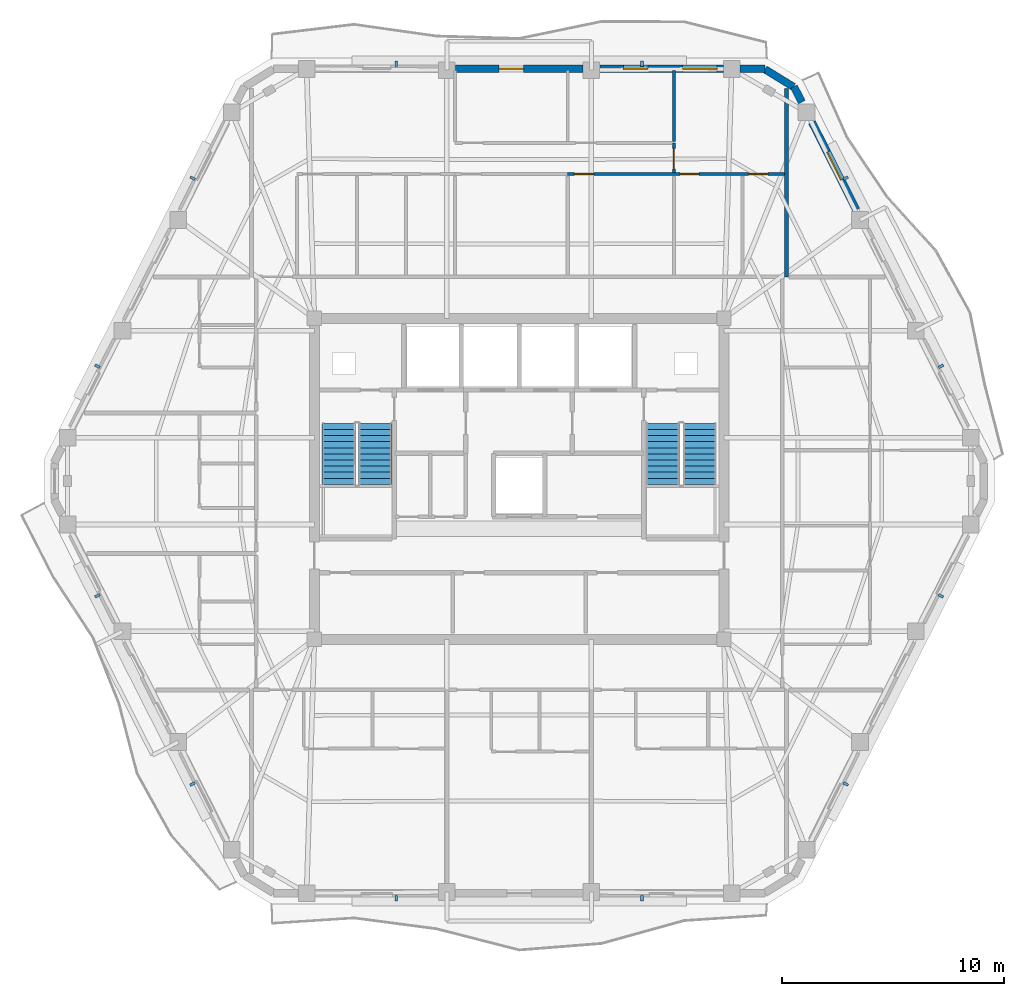
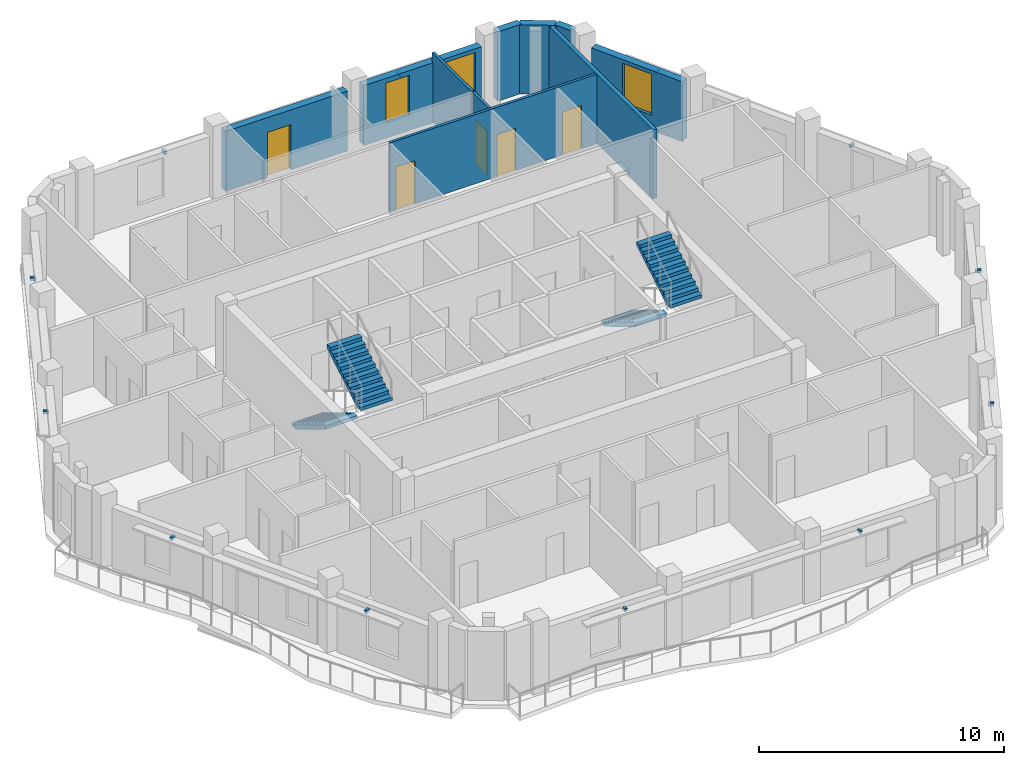
# One storey, part 8 of 11: 12 discrete accessories, 10 walls, 5 doors, 4 stair flights, 3 windows, 8 openings, 2 elements without a shape of their own.
"""IFC4 building model written with IfcOpenShell, lengths in metres."""

from ifc_helpers import new_model, si_unit, direction, frame, frame_2d, origin, origin_2d, place, context, subcontext, project, spatial, polyline, rectangle, outline, extrude, material, layer, layer_set, type_object, element, fill, aggregate, save


model = new_model("IFC4")

# Units and contexts
model_context = context("Model", 3, precision=1e-05, world=origin(), true_north=direction((0.0, 1.0)))
body_context = subcontext(model_context, "Body", "Model", "MODEL_VIEW")
ifc_project = project(units=[si_unit("LENGTHUNIT", "METRE"), si_unit("AREAUNIT", "SQUARE_METRE"), si_unit("VOLUMEUNIT", "CUBIC_METRE"), si_unit("PLANEANGLEUNIT", "RADIAN"), si_unit("MASSUNIT", "GRAM", prefix="KILO")], contexts=[model_context])

# Site, building, storey
site_placement = place(None, origin())
site = spatial("IfcSite", under=ifc_project, at=site_placement, CompositionType="ELEMENT")
building_placement = place(site_placement, origin())
building = spatial("IfcBuilding", under=site, at=building_placement, Name="Cinnabar Lancet Tower", CompositionType="ELEMENT")
storey_placement = place(building_placement, frame((0.0, 0.0, 241.60009765625)))
storey = spatial("IfcBuildingStorey", under=building, at=storey_placement, Name="L64", CompositionType="ELEMENT", Elevation=241.60009765625)

# Wall
ifc_material_1 = material(Name="Fire-rated twin-frame acoustic drywall", Category="gypsum")
ifc_layer_1 = layer(ifc_material_1, 0.179931640625)
ifc_layer_set_1 = layer_set([ifc_layer_1], Name="Fire-rated twin-frame acoustic drywall")
wall_type_1 = type_object("IfcWallType", Name="ARC-WL-PARTY-180", PredefinedType="PARTITIONING", material=ifc_layer_set_1)
wall_1_placement = place(storey_placement, frame((44.449951171875, 35.0, 0.0), z_axis=(0.0, 0.0, 1.0), x_axis=(0.0, 1.0, 0.0)))
element("IfcWall", 1, at=wall_1_placement, inside=storey, type_object=wall_type_1, Name="PW-L64-NPTY-444", PredefinedType="PARTITIONING", context=body_context, shape_type="SweptSolid", body=[
    extrude(rectangle(XDim=8.48095703125, YDim=0.179931640625, at=frame_2d((4.240478515625, 0.0))), origin(), (0.0, 0.0, 1.0), 3.449951171875),
])

# Wall, openings, doors
ifc_material_2 = material(Name="Gypsum plasterboard stud partition", Category="gypsum")
ifc_layer_2 = layer(ifc_material_2, 0.125)
ifc_layer_set_2 = layer_set([ifc_layer_2], Name="Gypsum plasterboard stud partition")
wall_type_2 = type_object("IfcWallType", Name="ARC-WL-UNIT-125", PredefinedType="PARTITIONING", material=ifc_layer_set_2)
wall_2_placement = place(storey_placement, frame((34.587890625, 39.62890625, 0.0), z_axis=(0.0, 0.0, 1.0), x_axis=(1.0, 0.0, 0.0)))
wall_2 = element("IfcWall", 2, at=wall_2_placement, inside=storey, type_object=wall_type_2, Name="UW-L64-N01-SP2", PredefinedType="PARTITIONING", context=body_context, shape_type="SweptSolid", body=[
    extrude(rectangle(XDim=9.76708984375, YDim=0.125, at=frame_2d((4.883544921875, 0.0))), origin(), (0.0, 0.0, 1.0), 3.449951171875),
])
opening_1_placement = place(wall_2_placement, frame((5.06201171875, 0.0, 0.0)))
opening_1 = element("IfcOpeningElement", 3, at=opening_1_placement, cuts=wall_2, Name="Opening BD-01", PredefinedType="OPENING", context=body_context, shape_type="SweptSolid", body=[
    extrude(rectangle(XDim=0.860107421875, YDim=2.10009765625, at=frame_2d((0.43017578125, 1.050048828125))), frame((0.0, 0.072509765625, 0.0), z_axis=(0.0, -1.0, 0.0), x_axis=(1.0, 0.0, 0.0)), (0.0, 0.0, 1.0), 0.14501953125),
])
opening_2_placement = place(wall_2_placement, frame((8.14990234375, 0.0, 0.0)))
opening_2 = element("IfcOpeningElement", 4, at=opening_2_placement, cuts=wall_2, Name="Opening RD-02", PredefinedType="OPENING", context=body_context, shape_type="SweptSolid", body=[
    extrude(rectangle(XDim=0.8798828125, YDim=2.14990234375, at=frame_2d((0.43994140625, 1.074951171875))), frame((0.0, 0.072509765625, 0.0), z_axis=(0.0, -1.0, 0.0), x_axis=(1.0, 0.0, 0.0)), (0.0, 0.0, 1.0), 0.14501953125),
])
opening_3_placement = place(wall_2_placement, frame((0.300048828125, 0.0, 0.0)))
opening_3 = element("IfcOpeningElement", 5, at=opening_3_placement, cuts=wall_2, Name="Opening RD-02", PredefinedType="OPENING", context=body_context, shape_type="SweptSolid", body=[
    extrude(rectangle(XDim=0.8798828125, YDim=2.14990234375, at=frame_2d((0.43994140625, 1.074951171875))), frame((0.0, 0.072509765625, 0.0), z_axis=(0.0, -1.0, 0.0), x_axis=(1.0, 0.0, 0.0)), (0.0, 0.0, 1.0), 0.14501953125),
])
ifc_material_3 = material(Name="Moisture-resistant timber bathroom door", Category="wood")
door_type_1 = type_object("IfcDoorType", Name="ARC-DR-BATH", OperationType="NOTDEFINED", PredefinedType="DOOR", material=ifc_material_3)
door_1_placement = place(opening_1_placement, origin())
door_1 = element("IfcDoor", 6, at=door_1_placement, inside=storey, type_object=door_type_1, Name="DR-L64-N01-ENS", OperationType="SINGLE_SWING_RIGHT", OverallHeight=2.10009765625, OverallWidth=0.860107421875, PredefinedType="DOOR", context=body_context, shape_type="SweptSolid", body=[
    extrude(rectangle(XDim=0.860107421875, YDim=2.10009765625, at=frame_2d((0.43017578125, 1.050048828125))), frame((0.0, 0.02490234375, 0.0), z_axis=(0.0, -1.0, 0.0), x_axis=(1.0, 0.0, 0.0)), (0.0, 0.0, 1.0), 0.050048828125),
])
fill(opening_1, door_1)
ifc_material_4 = material(Name="Engineered timber study door", Category="wood")
door_type_2 = type_object("IfcDoorType", Name="ARC-DR-STUDY", OperationType="NOTDEFINED", PredefinedType="DOOR", material=ifc_material_4)
door_2_placement = place(opening_2_placement, origin())
door_2 = element("IfcDoor", 7, at=door_2_placement, inside=storey, type_object=door_type_2, Name="DR-L64-N01-ENS-WDR", OperationType="SINGLE_SWING_LEFT", OverallHeight=2.14990234375, OverallWidth=0.8798828125, PredefinedType="DOOR", context=body_context, shape_type="SweptSolid", body=[
    extrude(rectangle(XDim=0.8798828125, YDim=2.14990234375, at=frame_2d((0.43994140625, 1.074951171875))), frame((0.0, 0.02490234375, 0.0), z_axis=(0.0, -1.0, 0.0), x_axis=(1.0, 0.0, 0.0)), (0.0, 0.0, 1.0), 0.050048828125),
])
fill(opening_2, door_2)
door_3_placement = place(opening_3_placement, origin())
door_3 = element("IfcDoor", 8, at=door_3_placement, inside=storey, type_object=door_type_2, Name="DR-L64-N01-DRS", OperationType="SINGLE_SWING_LEFT", OverallHeight=2.14990234375, OverallWidth=0.8798828125, PredefinedType="DOOR", context=body_context, shape_type="SweptSolid", body=[
    extrude(rectangle(XDim=0.8798828125, YDim=2.14990234375, at=frame_2d((0.43994140625, 1.074951171875))), frame((0.0, 0.02490234375, 0.0), z_axis=(0.0, -1.0, 0.0), x_axis=(1.0, 0.0, 0.0)), (0.0, 0.0, 1.0), 0.050048828125),
])
fill(opening_3, door_3)

# Wall, opening, door
wall_3_placement = place(storey_placement, frame((39.3701171875, 39.698974609375, 0.0), z_axis=(0.0, 0.0, 1.0), x_axis=(0.0, 1.0, 0.0)))
wall_3 = element("IfcWall", 9, at=wall_3_placement, inside=storey, type_object=wall_type_2, Name="UW-L64-N01-MBE", PredefinedType="PARTITIONING", context=body_context, shape_type="SweptSolid", body=[
    extrude(rectangle(XDim=1.330078125, YDim=0.125, at=frame_2d((0.6650390625, 0.0))), origin(), (0.0, 0.0, 1.0), 3.449951171875),
])
opening_4_placement = place(wall_3_placement, frame((0.159912109375, 0.0, 0.0)))
opening_4 = element("IfcOpeningElement", 10, at=opening_4_placement, cuts=wall_3, Name="Opening RD-01", PredefinedType="OPENING", context=body_context, shape_type="SweptSolid", body=[
    extrude(rectangle(XDim=0.919921875, YDim=2.14990234375, at=frame_2d((0.4599609375, 1.074951171875))), frame((0.0, 0.072509765625, 0.0), z_axis=(0.0, -1.0, 0.0), x_axis=(1.0, 0.0, 0.0)), (0.0, 0.0, 1.0), 0.14501953125),
])
ifc_material_5 = material(Name="Engineered timber bedroom door", Category="wood")
door_type_3 = type_object("IfcDoorType", Name="ARC-DR-ROOM", OperationType="NOTDEFINED", PredefinedType="DOOR", material=ifc_material_5)
door_4_placement = place(opening_4_placement, origin())
door_4 = element("IfcDoor", 11, at=door_4_placement, inside=storey, type_object=door_type_3, Name="DR-L64-N01-MBD", OperationType="SINGLE_SWING_RIGHT", OverallHeight=2.14990234375, OverallWidth=0.919921875, PredefinedType="DOOR", context=body_context, shape_type="SweptSolid", body=[
    extrude(rectangle(XDim=0.919921875, YDim=2.14990234375, at=frame_2d((0.4599609375, 1.074951171875))), frame((0.0, 0.02490234375, 0.0), z_axis=(0.0, -1.0, 0.0), x_axis=(1.0, 0.0, 0.0)), (0.0, 0.0, 1.0), 0.050048828125),
])
fill(opening_4, door_4)

# Walls
wall_4_placement = place(storey_placement, frame((39.3701171875, 41.093994140625, 0.0), z_axis=(0.0, 0.0, 1.0), x_axis=(0.0, 1.0, 0.0)))
element("IfcWall", 12, at=wall_4_placement, inside=storey, type_object=wall_type_2, Name="UW-L64-N01-B23W", PredefinedType="PARTITIONING", context=body_context, shape_type="SweptSolid", body=[
    extrude(rectangle(XDim=3.19091796875, YDim=0.125, at=frame_2d((1.595458984375, 0.0))), origin(), (0.0, 0.0, 1.0), 3.449951171875),
])
ifc_material_6 = material(Name="Cinnabar red clay brick", Category="masonry")
ifc_layer_3 = layer(ifc_material_6, 0.340087890625)
ifc_layer_set_3 = layer_set([ifc_layer_3], Name="Cinnabar red clay brick")
wall_type_3 = type_object("IfcWallType", Name="ENV-WL-BRK-RED-340", PredefinedType="STANDARD", material=ifc_layer_set_3)
wall_5_placement = place(storey_placement, frame((44.7529296875, 43.554931640625, 0.0), z_axis=(0.0, 0.0, 1.0), x_axis=(-0.851680557619, 0.52406128246, 0.0)))
element("IfcWall", 13, at=wall_5_placement, inside=storey, type_object=wall_type_3, Name="L64 Chamfered Corner Brick Pier 4.1", PredefinedType="STANDARD", context=body_context, shape_type="SweptSolid", body=[
    extrude(rectangle(XDim=1.507568359375, YDim=0.340087890625, at=frame_2d((0.75390625, 0.0))), origin(), (0.0, 0.0, 1.0), 3.449951171875),
])

# Wall, opening, window
wall_6_placement = place(storey_placement, frame((47.5859375, 38.010009765625, 0.0), z_axis=(0.0, 0.0, 1.0), x_axis=(-0.451463046281, 0.89228981718, 0.0)))
wall_6 = element("IfcWall", 14, at=wall_6_placement, inside=storey, type_object=wall_type_3, Name="L64 Face 3 Masonry Bay Wall 4", PredefinedType="STANDARD", context=body_context, shape_type="SweptSolid", body=[
    extrude(rectangle(XDim=4.429931640625, YDim=0.340087890625, at=frame_2d((2.21484375, 0.0))), origin(), (0.0, 0.0, 1.0), 2.98291015625),
])
opening_5_placement = place(wall_6_placement, frame((1.514892578125, 0.0, 0.75)))
opening_5 = element("IfcOpeningElement", 15, at=opening_5_placement, cuts=wall_6, Name="Opening WN-02", PredefinedType="OPENING", context=body_context, shape_type="SweptSolid", body=[
    extrude(rectangle(XDim=1.39990234375, YDim=2.050048828125, at=frame_2d((0.699951171875, 1.02490234375))), frame((0.0, 0.179931640625, 0.0), z_axis=(0.0, -1.0, 0.0), x_axis=(1.0, 0.0, 0.0)), (0.0, 0.0, 1.0), 0.360107421875),
])
ifc_material_7 = material(Name="Thermally broken bronze-anodized aluminium low-E double glazing", Category="aluminium")
window_type_1 = type_object("IfcWindowType", Name="ENV-WN-LANCET-1400", PartitioningType="SINGLE_PANEL", PredefinedType="WINDOW", material=ifc_material_7)
window_1_placement = place(opening_5_placement, origin())
window_1 = element("IfcWindow", 16, at=window_1_placement, inside=storey, type_object=window_type_1, Name="L64 Face 3 Gothic Lancet Window 4", OverallHeight=2.050048828125, OverallWidth=1.39990234375, PartitioningType="SINGLE_PANEL", PredefinedType="WINDOW", context=body_context, shape_type="SweptSolid", body=[
    extrude(rectangle(XDim=1.39990234375, YDim=2.050048828125, at=frame_2d((0.699951171875, 1.02490234375))), frame((0.0, 0.030029296875, 0.0), z_axis=(0.0, -1.0, 0.0), x_axis=(1.0, 0.0, 0.0)), (0.0, 0.0, 1.0), 0.06005859375),
])
fill(opening_5, window_1)

# Walls
wall_7_placement = place(storey_placement, frame((45.1298828125, 42.864990234375, 0.0), z_axis=(0.0, 0.0, 1.0), x_axis=(-0.451159191899, 0.892443490404, 0.0)))
element("IfcWall", 17, at=wall_7_placement, inside=storey, type_object=wall_type_3, Name="L64 Face 3 Masonry Bay Wall 5", PredefinedType="STANDARD", context=body_context, shape_type="SweptSolid", body=[
    extrude(rectangle(XDim=0.791259765625, YDim=0.340087890625, at=frame_2d((0.3955078125, 0.0))), origin(), (0.0, 0.0, 1.0), 3.449951171875),
])
wall_8_placement = place(storey_placement, frame((43.47412109375, 44.3701171875, 0.0), z_axis=(0.0, 0.0, 1.0), x_axis=(-1.0, 0.0, 0.0)))
element("IfcWall", 18, at=wall_8_placement, inside=storey, type_object=wall_type_3, Name="L64 Face 4 Masonry Bay Wall 1", PredefinedType="STANDARD", context=body_context, shape_type="SweptSolid", body=[
    extrude(rectangle(XDim=1.123046875, YDim=0.340087890625, at=frame_2d((0.5615234375, 0.0))), origin(), (0.0, 0.0, 1.0), 3.449951171875),
])

# Wall, openings, windows
wall_9_placement = place(storey_placement, frame((41.593017578125, 44.3701171875, 0.0), z_axis=(0.0, 0.0, 1.0), x_axis=(-1.0, 0.0, 0.0)))
wall_9 = element("IfcWall", 19, at=wall_9_placement, inside=storey, type_object=wall_type_3, Name="L64 Face 4 Masonry Bay Wall 2", PredefinedType="STANDARD", context=body_context, shape_type="SweptSolid", body=[
    extrude(rectangle(XDim=5.56005859375, YDim=0.340087890625, at=frame_2d((2.780029296875, 0.0))), origin(), (0.0, 0.0, 1.0), 2.98291015625),
])
opening_6_placement = place(wall_9_placement, frame((0.280029296875, 0.0, 0.75)))
opening_6 = element("IfcOpeningElement", 20, at=opening_6_placement, cuts=wall_9, Name="Opening WN-01", PredefinedType="OPENING", context=body_context, shape_type="SweptSolid", body=[
    extrude(rectangle(XDim=1.550048828125, YDim=2.050048828125, at=frame_2d((0.77490234375, 1.02490234375))), frame((0.0, 0.179931640625, 0.0), z_axis=(0.0, -1.0, 0.0), x_axis=(1.0, 0.0, 0.0)), (0.0, 0.0, 1.0), 0.360107421875),
])
opening_7_placement = place(wall_9_placement, frame((3.39794921875, 0.0, 0.75)))
opening_7 = element("IfcOpeningElement", 21, at=opening_7_placement, cuts=wall_9, Name="Opening WN-04", PredefinedType="OPENING", context=body_context, shape_type="SweptSolid", body=[
    extrude(rectangle(XDim=1.10009765625, YDim=2.0, at=frame_2d((0.550048828125, 1.0))), frame((0.0, 0.179931640625, 0.0), z_axis=(0.0, -1.0, 0.0), x_axis=(1.0, 0.0, 0.0)), (0.0, 0.0, 1.0), 0.360107421875),
])
ifc_material_8 = material(Name="Thermally broken bronze-anodized aluminium tall lancet window", Category="aluminium")
window_type_2 = type_object("IfcWindowType", Name="ENV-WN-LANCET-1100", PartitioningType="SINGLE_PANEL", PredefinedType="WINDOW", material=ifc_material_8)
window_2_placement = place(opening_7_placement, origin())
window_2 = element("IfcWindow", 22, at=window_2_placement, inside=storey, type_object=window_type_2, Name="L64 Split-Bay Gothic Lancet Window 225", OverallHeight=2.0, OverallWidth=1.10009765625, PartitioningType="SINGLE_PANEL", PredefinedType="WINDOW", context=body_context, shape_type="SweptSolid", body=[
    extrude(rectangle(XDim=1.10009765625, YDim=2.0, at=frame_2d((0.550048828125, 1.0))), frame((0.0, 0.030029296875, 0.0), z_axis=(0.0, -1.0, 0.0), x_axis=(1.0, 0.0, 0.0)), (0.0, 0.0, 1.0), 0.06005859375),
])
fill(opening_7, window_2)
ifc_material_9 = material(Name="Thermally broken bronze-anodized aluminium low-E double glazing", Category="aluminium")
window_type_3 = type_object("IfcWindowType", Name="ENV-WN-LANCET-1550", PartitioningType="SINGLE_PANEL", PredefinedType="WINDOW", material=ifc_material_9)
window_3_placement = place(opening_6_placement, origin())
window_3 = element("IfcWindow", 23, at=window_3_placement, inside=storey, type_object=window_type_3, Name="L64 Face 4 Gothic Lancet Window 2", OverallHeight=2.050048828125, OverallWidth=1.550048828125, PartitioningType="SINGLE_PANEL", PredefinedType="WINDOW", context=body_context, shape_type="SweptSolid", body=[
    extrude(rectangle(XDim=1.550048828125, YDim=2.050048828125, at=frame_2d((0.77490234375, 1.02490234375))), frame((0.0, 0.030029296875, 0.0), z_axis=(0.0, -1.0, 0.0), x_axis=(1.0, 0.0, 0.0)), (0.0, 0.0, 1.0), 0.06005859375),
])
fill(opening_6, window_3)

# Wall, opening, door
wall_10_placement = place(storey_placement, frame((35.27490234375, 44.3701171875, 0.0), z_axis=(0.0, 0.0, 1.0), x_axis=(-1.0, 0.0, 0.0)))
wall_10 = element("IfcWall", 24, at=wall_10_placement, inside=storey, type_object=wall_type_3, Name="L64 Face 4 Masonry Bay Wall 3", PredefinedType="STANDARD", context=body_context, shape_type="SweptSolid", body=[
    extrude(rectangle(XDim=5.75, YDim=0.340087890625, at=frame_2d((2.875, 0.0))), origin(), (0.0, 0.0, 1.0), 2.98291015625),
])
opening_8_placement = place(wall_10_placement, frame((2.677001953125, 0.0, 0.0)))
opening_8 = element("IfcOpeningElement", 25, at=opening_8_placement, cuts=wall_10, Name="Opening TD-01", PredefinedType="OPENING", context=body_context, shape_type="SweptSolid", body=[
    extrude(rectangle(XDim=1.10009765625, YDim=2.25, at=frame_2d((0.550048828125, 1.125))), frame((0.0, 0.179931640625, 0.0), z_axis=(0.0, -1.0, 0.0), x_axis=(1.0, 0.0, 0.0)), (0.0, 0.0, 1.0), 0.360107421875),
])
ifc_material_10 = material(Name="Thermally broken low-E glazed balcony terrace door", Category="wood")
door_type_4 = type_object("IfcDoorType", Name="ARC-DR-BALC", OperationType="NOTDEFINED", PredefinedType="DOOR", material=ifc_material_10)
door_5_placement = place(opening_8_placement, origin())
door_5 = element("IfcDoor", 26, at=door_5_placement, inside=storey, type_object=door_type_4, Name="L64 Face 4 Glazed Terrace Door", OperationType="SINGLE_SWING_RIGHT", OverallHeight=2.25, OverallWidth=1.10009765625, PredefinedType="DOOR", context=body_context, shape_type="SweptSolid", body=[
    extrude(rectangle(XDim=1.10009765625, YDim=2.25, at=frame_2d((0.550048828125, 1.125))), frame((0.0, 0.02490234375, 0.0), z_axis=(0.0, -1.0, 0.0), x_axis=(1.0, 0.0, 0.0)), (0.0, 0.0, 1.0), 0.050048828125),
])
fill(opening_8, door_5)

# Stair, stair flights
ifc_material_11 = material(Name="Concrete C40/50", Category="concrete")
stair_type = type_object("IfcStairType", Name="ST-CORE", PredefinedType="HALF_TURN_STAIR", material=ifc_material_11)
stair_1_placement = place(storey_placement, origin())
stair_1 = element("IfcStair", 27, at=stair_1_placement, inside=storey, type_object=stair_type, Name="L64 ST-1", PredefinedType="HALF_TURN_STAIR")
ifc_material_12 = material(Name="Concrete C40/50", Category="concrete")
stair_flight_type = type_object("IfcStairFlightType", Name="FLIGHT-CORE", PredefinedType="STRAIGHT", material=ifc_material_12)
stair_flight_1_placement = place(storey_placement, frame((24.27490234375, 28.39990234375, 0.0), z_axis=(0.0, 0.0, 1.0), x_axis=(0.0, -1.0, 0.0)))
stair_flight_1 = element("IfcStairFlight", 28, at=stair_flight_1_placement, type_object=stair_flight_type, Name="ST-1 flight 1", NumberOfRisers=11, NumberOfTreads=10, PredefinedType="STRAIGHT", RiserHeight=0.165909091, TreadLength=0.275, context=body_context, shape_type="SweptSolid", body=[
    extrude(outline(polyline([(0.0, 0.0), (0.0, 0.166015625), (0.27490234375, 0.166015625), (0.27490234375, 0.331787109375), (0.550048828125, 0.331787109375), (0.550048828125, 0.497802734375), (0.824951171875, 0.497802734375), (0.824951171875, 0.66357421875), (1.10009765625, 0.66357421875), (1.10009765625, 0.82958984375), (1.375, 0.82958984375), (1.375, 0.995361328125), (1.64990234375, 0.995361328125), (1.64990234375, 1.161376953125), (1.925048828125, 1.161376953125), (1.925048828125, 1.327392578125), (2.199951171875, 1.327392578125), (2.199951171875, 1.4931640625), (2.47509765625, 1.4931640625), (2.47509765625, 1.6591796875), (2.75, 1.6591796875), (2.75, 1.824951171875), (2.75, 1.484130859375), (0.290283203125, 0.0), (0.0, 0.0)])), frame((0.0, 0.75, 0.0), z_axis=(0.0, -1.0, 0.0), x_axis=(1.0, 0.0, 0.0)), (0.0, 0.0, 1.0), 1.5),
])
stair_flight_2_placement = place(storey_placement, frame((25.925048828125, 25.64990234375, 1.824951171875), z_axis=(0.0, 0.0, 1.0), x_axis=(0.0, 1.0, 0.0)))
stair_flight_2 = element("IfcStairFlight", 29, at=stair_flight_2_placement, type_object=stair_flight_type, Name="ST-1 flight 2", NumberOfRisers=11, NumberOfTreads=10, PredefinedType="STRAIGHT", RiserHeight=0.165909091, TreadLength=0.275, context=body_context, shape_type="SweptSolid", body=[
    extrude(outline(polyline([(0.0, 0.0), (0.0, 0.166015625), (0.27490234375, 0.166015625), (0.27490234375, 0.331787109375), (0.550048828125, 0.331787109375), (0.550048828125, 0.497802734375), (0.824951171875, 0.497802734375), (0.824951171875, 0.66357421875), (1.10009765625, 0.66357421875), (1.10009765625, 0.82958984375), (1.375, 0.82958984375), (1.375, 0.995361328125), (1.64990234375, 0.995361328125), (1.64990234375, 1.161376953125), (1.925048828125, 1.161376953125), (1.925048828125, 1.327392578125), (2.199951171875, 1.327392578125), (2.199951171875, 1.4931640625), (2.47509765625, 1.4931640625), (2.47509765625, 1.6591796875), (2.75, 1.6591796875), (2.75, 1.824951171875), (2.75, 1.484130859375), (0.290283203125, 0.0), (0.0, 0.0)])), frame((0.0, 0.75, 0.0), z_axis=(0.0, -1.0, 0.0), x_axis=(1.0, 0.0, 0.0)), (0.0, 0.0, 1.0), 1.5),
])
aggregate(stair_1, [stair_flight_1, stair_flight_2])

stair_2_placement = place(storey_placement, origin())
stair_2 = element("IfcStair", 30, at=stair_2_placement, inside=storey, type_object=stair_type, Name="L64 ST-2", PredefinedType="HALF_TURN_STAIR")
stair_flight_3_placement = place(storey_placement, frame((38.875, 28.39990234375, 0.0), z_axis=(0.0, 0.0, 1.0), x_axis=(0.0, -1.0, 0.0)))
stair_flight_3 = element("IfcStairFlight", 31, at=stair_flight_3_placement, type_object=stair_flight_type, Name="ST-2 flight 1", NumberOfRisers=11, NumberOfTreads=10, PredefinedType="STRAIGHT", RiserHeight=0.165909091, TreadLength=0.275, context=body_context, shape_type="SweptSolid", body=[
    extrude(outline(polyline([(0.0, 0.0), (0.0, 0.166015625), (0.27490234375, 0.166015625), (0.27490234375, 0.331787109375), (0.550048828125, 0.331787109375), (0.550048828125, 0.497802734375), (0.824951171875, 0.497802734375), (0.824951171875, 0.66357421875), (1.10009765625, 0.66357421875), (1.10009765625, 0.82958984375), (1.375, 0.82958984375), (1.375, 0.995361328125), (1.64990234375, 0.995361328125), (1.64990234375, 1.161376953125), (1.925048828125, 1.161376953125), (1.925048828125, 1.327392578125), (2.199951171875, 1.327392578125), (2.199951171875, 1.4931640625), (2.47509765625, 1.4931640625), (2.47509765625, 1.6591796875), (2.75, 1.6591796875), (2.75, 1.824951171875), (2.75, 1.484130859375), (0.290283203125, 0.0), (0.0, 0.0)])), frame((0.0, 0.75, 0.0), z_axis=(0.0, -1.0, 0.0), x_axis=(1.0, 0.0, 0.0)), (0.0, 0.0, 1.0), 1.5),
])
stair_flight_4_placement = place(storey_placement, frame((40.52490234375, 25.64990234375, 1.824951171875), z_axis=(0.0, 0.0, 1.0), x_axis=(0.0, 1.0, 0.0)))
stair_flight_4 = element("IfcStairFlight", 32, at=stair_flight_4_placement, type_object=stair_flight_type, Name="ST-2 flight 2", NumberOfRisers=11, NumberOfTreads=10, PredefinedType="STRAIGHT", RiserHeight=0.165909091, TreadLength=0.275, context=body_context, shape_type="SweptSolid", body=[
    extrude(outline(polyline([(0.0, 0.0), (0.0, 0.166015625), (0.27490234375, 0.166015625), (0.27490234375, 0.331787109375), (0.550048828125, 0.331787109375), (0.550048828125, 0.497802734375), (0.824951171875, 0.497802734375), (0.824951171875, 0.66357421875), (1.10009765625, 0.66357421875), (1.10009765625, 0.82958984375), (1.375, 0.82958984375), (1.375, 0.995361328125), (1.64990234375, 0.995361328125), (1.64990234375, 1.161376953125), (1.925048828125, 1.161376953125), (1.925048828125, 1.327392578125), (2.199951171875, 1.327392578125), (2.199951171875, 1.4931640625), (2.47509765625, 1.4931640625), (2.47509765625, 1.6591796875), (2.75, 1.6591796875), (2.75, 1.824951171875), (2.75, 1.484130859375), (0.290283203125, 0.0), (0.0, 0.0)])), frame((0.0, 0.75, 0.0), z_axis=(0.0, -1.0, 0.0), x_axis=(1.0, 0.0, 0.0)), (0.0, 0.0, 1.0), 1.5),
])
aggregate(stair_2, [stair_flight_3, stair_flight_4])

# Discrete accessories
ifc_material_13 = material(Name="Stainless steel 316 facade fixing bracket", Category="steel")
discrete_accessory_type = type_object("IfcDiscreteAccessoryType", Name="ENV-ACC-BRK-180", PredefinedType="BRACKET", material=ifc_material_13)
for number, where, z_axis, x_axis, name in (
    (33, (26.863037109375, 7.010009765625, 2.60009765625), (0.0, 0.0, 1.0), (1.0, 0.0, 0.0), "L64 Face 1 Sunshade Bracket A"),
    (34, (37.93701171875, 7.010009765625, 2.60009765625), (0.0, 0.0, 1.0), (1.0, 0.0, 0.0), "L64 Face 1 Sunshade Bracket B"),
    (35, (47.10791015625, 12.157958984375, 2.60009765625), (0.0, 0.0, 1.0), (0.451375984307, 0.89233386173, 0.0), "L64 Face 2 Sunshade Bracket A"),
    (36, (51.39306640625, 20.6298828125, 2.60009765625), (0.0, 0.0, 1.0), (0.451375984307, 0.89233386173, 0.0), "L64 Face 2 Sunshade Bracket B"),
    (37, (51.39306640625, 30.969970703125, 2.60009765625), (0.0, 0.0, 1.0), (-0.451375984307, 0.89233386173, 0.0), "L64 Face 3 Sunshade Bracket A"),
    (38, (47.10791015625, 39.44189453125, 2.60009765625), (0.0, 0.0, 1.0), (-0.451375984307, 0.89233386173, 0.0), "L64 Face 3 Sunshade Bracket B"),
    (39, (37.93701171875, 44.590087890625, 2.60009765625), (0.0, 0.0, 1.0), (-1.0, 0.0, 0.0), "L64 Face 4 Sunshade Bracket A"),
    (40, (26.863037109375, 44.590087890625, 2.60009765625), (0.0, 0.0, 1.0), (-1.0, 0.0, 0.0), "L64 Face 4 Sunshade Bracket B"),
    (41, (17.69189453125, 39.44189453125, 2.60009765625), (0.0, 0.0, 1.0), (-0.451375984307, -0.89233386173, 0.0), "L64 Face 5 Sunshade Bracket A"),
    (42, (13.406982421875, 30.969970703125, 2.60009765625), (0.0, 0.0, 1.0), (-0.451375984307, -0.89233386173, 0.0), "L64 Face 5 Sunshade Bracket B"),
    (43, (13.406982421875, 20.6298828125, 2.60009765625), (0.0, 0.0, 1.0), (0.451375984307, -0.89233386173, 0.0), "L64 Face 6 Sunshade Bracket A"),
    (44, (17.69189453125, 12.157958984375, 2.60009765625), (0.0, 0.0, 1.0), (0.451375984307, -0.89233386173, 0.0), "L64 Face 6 Sunshade Bracket B"),
):
    element("IfcDiscreteAccessory", number, at=place(storey_placement, frame(where, z_axis=z_axis, x_axis=x_axis)), inside=storey, type_object=discrete_accessory_type, Name=name, PredefinedType="BRACKET", context=body_context, shape_type="SweptSolid", body=[
        extrude(rectangle(XDim=0.1201171875, YDim=0.239990234375, at=origin_2d()), origin(), (0.0, 0.0, 1.0), 0.159912109375),
    ])

save(model, "model.ifc")
